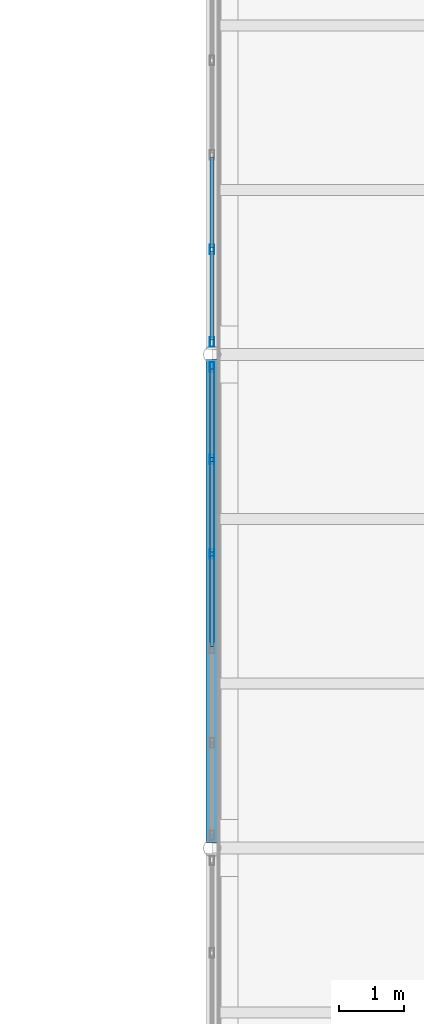
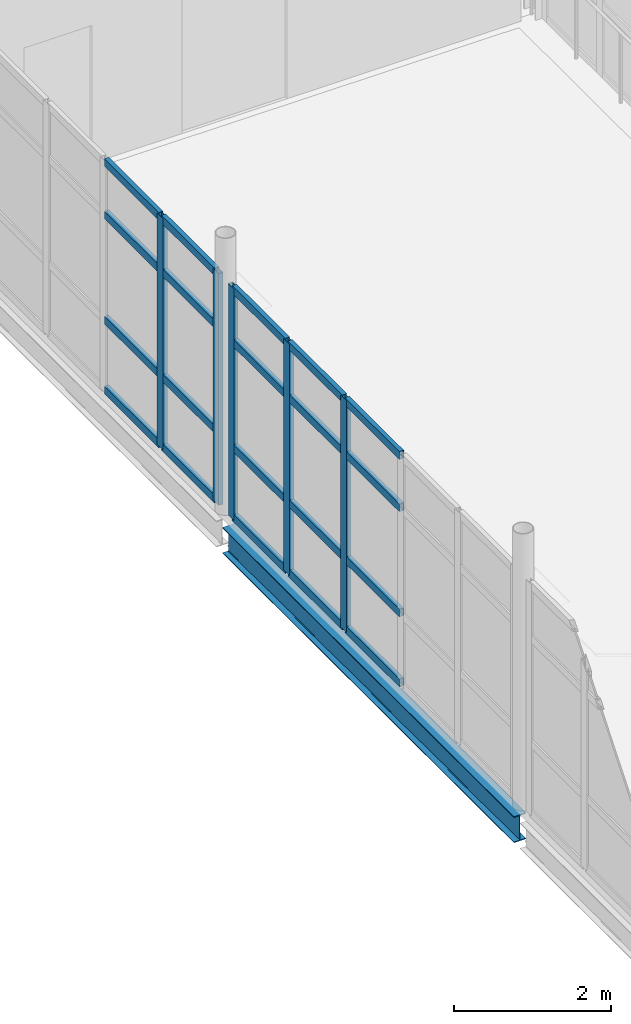
# One storey, part 72 of 174: 25 members, 1 beam, 2 elements without a shape of their own.
"""IFC4 building model written with IfcOpenShell, lengths in metres."""

import ifcopenshell
import ifcopenshell.guid

model = None  # the IFC model being written
_history = None  # IfcOwnerHistory: only IFC2X3 demands one
_inside = {}  # id of a spatial element -> (the spatial element, [elements in it])
_under = {}  # id of a project, library or spatial element -> (it, [spatial elements below it])
_declared = {}  # id of a project -> (the project, [libraries it declares])
_typed = {}  # id of a type object -> (the type object, [elements of that type])
_made_of = {}  # id of a material, layer set ... -> (it, [elements and type objects made of it])


def new_model(schema):
    """Start an empty IFC model of exactly this schema.

    Asked for "IFC4X3", IfcOpenShell would pick the latest addendum, in which some entities
    have other attributes; the version numbers below select the first issue.
    IFC2X3 requires an IfcOwnerHistory on every rooted entity: one is made here for all.
    """
    global model, _history
    if schema == "IFC4X3":
        model = ifcopenshell.file(schema_version=(4, 3, 0, 0))
    else:
        model = ifcopenshell.file(schema=schema)
    _inside.clear()
    _under.clear()
    _declared.clear()
    _typed.clear()
    _made_of.clear()
    _history = None
    if model.schema == "IFC2X3":
        org = make("IfcOrganization", Name="unknown")
        user = make(
            "IfcPersonAndOrganization",
            ThePerson=make("IfcPerson", FamilyName="unknown"),
            TheOrganization=org,
        )
        app = make(
            "IfcApplication",
            ApplicationDeveloper=org,
            Version="unknown",
            ApplicationFullName="unknown",
            ApplicationIdentifier="unknown",
        )
        _history = make(
            "IfcOwnerHistory",
            OwningUser=user,
            OwningApplication=app,
            ChangeAction="ADDED",
            CreationDate=0,
        )
    return model


def make(cls, **values):
    """One entity of the class cls with the attributes given. An attribute that is None is left unset."""
    return model.create_entity(
        cls, **{name: value for name, value in values.items() if value is not None}
    )


def rooted(cls, **values):
    """An entity with a GlobalId (a new one), such as an element, a storey or a relation."""
    return make(cls, GlobalId=ifcopenshell.guid.new(), OwnerHistory=_history, **values)


def si_unit(unit_type, name, prefix=None):
    """IfcSIUnit, for example si_unit("LENGTHUNIT", "METRE", prefix="MILLI")."""
    return make("IfcSIUnit", UnitType=unit_type, Prefix=prefix, Name=name)


def assignment(units):
    """IfcUnitAssignment: the units of a project."""
    return None if units is None else make("IfcUnitAssignment", Units=units)


def point(xyz):
    """IfcCartesianPoint."""
    return None if xyz is None else make("IfcCartesianPoint", Coordinates=xyz)


def direction(xyz):
    """IfcDirection."""
    return None if xyz is None else make("IfcDirection", DirectionRatios=xyz)


def frame(location, z_axis=None, x_axis=None):
    """IfcAxis2Placement3D, a coordinate frame: its origin and axes. An axis left out is left unset."""
    return make(
        "IfcAxis2Placement3D",
        Location=point(location),
        Axis=direction(z_axis),
        RefDirection=direction(x_axis),
    )


def frame_2d(location, x_axis=None):
    """IfcAxis2Placement2D, a coordinate frame in the plane: its origin and x axis."""
    return make(
        "IfcAxis2Placement2D", Location=point(location), RefDirection=direction(x_axis)
    )


def origin():
    """The frame at (0, 0, 0) with its axes left unset."""
    return frame((0.0, 0.0, 0.0))


def origin_2d():
    """The frame at (0, 0) in the plane with its x axis left unset."""
    return frame_2d((0.0, 0.0))


def place(relative_to, where):
    """IfcLocalPlacement: puts the frame where relative to a parent placement (None: the world)."""
    return make(
        "IfcLocalPlacement", PlacementRelTo=relative_to, RelativePlacement=where
    )


def context(
    kind, dimensions, precision=None, world=None, true_north=None, identifier=None
):
    """IfcGeometricRepresentationContext, for example the 3D "Model" context."""
    return make(
        "IfcGeometricRepresentationContext",
        ContextIdentifier=identifier,
        ContextType=kind,
        CoordinateSpaceDimension=dimensions,
        Precision=precision,
        WorldCoordinateSystem=world,
        TrueNorth=true_north,
    )


def subcontext(parent, identifier, kind, view, scale=None):
    """IfcGeometricRepresentationSubContext, for example "Body" below "Model"."""
    return make(
        "IfcGeometricRepresentationSubContext",
        ContextIdentifier=identifier,
        ContextType=kind,
        ParentContext=parent,
        TargetScale=scale,
        TargetView=view,
    )


def project(units=None, contexts=None):
    """IfcProject with its units and contexts."""
    return rooted(
        "IfcProject",
        Name="project",
        RepresentationContexts=contexts,
        UnitsInContext=assignment(units),
    )


def spatial(cls, under=None, at=None, **own):
    """A site, building, storey or space (cls), placed at a placement, below another one or the project."""
    s = rooted(cls, ObjectPlacement=at, **own)
    if under is not None:
        _under.setdefault(under.id(), (under, []))[1].append(s)
    return s


def profile(cls, at=None, kind="AREA", **sizes):
    """A parametric profile (cls). Its sizes go by their IFC names, for example OverallWidth=200.0."""
    return make(cls, ProfileType=kind, Position=at, **sizes)


def hollow_rectangle(**sizes):
    """IfcRectangleHollowProfileDef."""
    return profile("IfcRectangleHollowProfileDef", **sizes)


def i_section(**sizes):
    """IfcIShapeProfileDef."""
    return profile("IfcIShapeProfileDef", **sizes)


def extrude(swept, where, along, depth):
    """IfcExtrudedAreaSolid: the profile swept, set in the frame where, extruded along a direction by depth."""
    return make(
        "IfcExtrudedAreaSolid",
        SweptArea=swept,
        Position=where,
        ExtrudedDirection=direction(along),
        Depth=depth,
    )


def shape(context_of_items, identifier, shape_type, items):
    """IfcShapeRepresentation: the items that make up one representation, for example the "Body"."""
    return make(
        "IfcShapeRepresentation",
        ContextOfItems=context_of_items,
        RepresentationIdentifier=identifier,
        RepresentationType=shape_type,
        Items=items,
    )


def material(Name=None, Category=None):
    """IfcMaterial."""
    return make("IfcMaterial", Name=Name, Category=Category)


def material_profile(
    of_material, cross_section, Name=None, Category=None, Priority=None
):
    """IfcMaterialProfile: a cross section and its material."""
    return make(
        "IfcMaterialProfile",
        Name=Name,
        Material=of_material,
        Profile=cross_section,
        Priority=Priority,
        Category=Category,
    )


def profile_set(profiles, Name=None, composite=None):
    """IfcMaterialProfileSet."""
    return make(
        "IfcMaterialProfileSet",
        Name=Name,
        MaterialProfiles=profiles,
        CompositeProfile=composite,
    )


def made_of(thing, what):
    """Note that an element or type object is made of a material, layer set ...; save() writes the relation."""
    if what is not None:
        _made_of.setdefault(what.id(), (what, []))[1].append(thing)
    return thing


def type_object(cls, material=None, **own):
    """A type object (cls), such as IfcWallType, which elements share."""
    return made_of(rooted(cls, **own), material)


def element(
    cls,
    number,
    at=None,
    inside=None,
    cuts=None,
    type_object=None,
    material=None,
    context=None,
    identifier="Body",
    shape_type=None,
    held_by="IfcProductDefinitionShape",
    body=None,
    shapes=None,
    **own,
):
    """One element of the class cls, such as IfcWall. Its Tag is "e" and its number.

    at: its placement. inside: the storey or other place that contains it. cuts: it is an
    opening in that element (IfcRelVoidsElement). A single representation is given by context,
    identifier, shape_type and body (its items); several are given by shapes. held_by: the class
    of the entity that holds the representations. save() writes the other relations.
    """
    e = rooted(cls, Tag="e%d" % number, ObjectPlacement=at, **own)
    if body is not None:
        shapes = [shape(context, identifier, shape_type, body)]
    if shapes is not None:
        e.Representation = make(held_by, Representations=shapes)
    if inside is not None:
        _inside.setdefault(inside.id(), (inside, []))[1].append(e)
    if cuts is not None:
        rooted(
            "IfcRelVoidsElement", RelatingBuildingElement=cuts, RelatedOpeningElement=e
        )
    if type_object is not None:
        _typed.setdefault(type_object.id(), (type_object, []))[1].append(e)
    return made_of(e, material)


def aggregate(whole, parts):
    """IfcRelAggregates: a whole, such as a stair, and the parts it consists of."""
    return rooted("IfcRelAggregates", RelatingObject=whole, RelatedObjects=parts)


def save(model, path):
    """Write the relations noted so far, then the file.

    IfcRelAggregates (storeys below a building ...), IfcRelContainedInSpatialStructure (elements
    in a storey), IfcRelDefinesByType, IfcRelAssociatesMaterial and IfcRelDeclares: one each for
    every whole, place, type object, material and project.
    """
    for whole, parts in _under.values():
        aggregate(whole, parts)
    for where, things in _inside.values():
        rooted(
            "IfcRelContainedInSpatialStructure",
            RelatedElements=things,
            RelatingStructure=where,
        )
    for kind, things in _typed.values():
        rooted("IfcRelDefinesByType", RelatedObjects=things, RelatingType=kind)
    for what, things in _made_of.values():
        rooted("IfcRelAssociatesMaterial", RelatedObjects=things, RelatingMaterial=what)
    for by, libraries in _declared.values():
        rooted("IfcRelDeclares", RelatingContext=by, RelatedDefinitions=libraries)
    model.write(path)


model = new_model("IFC4")

# Units and contexts
model_context = context("Model", 3, precision=1e-05, world=origin(), true_north=direction((0.0, 1.0)))
body_context = subcontext(model_context, "Body", "Model", "MODEL_VIEW")
ifc_project = project(units=[si_unit("LENGTHUNIT", "METRE"), si_unit("AREAUNIT", "SQUARE_METRE"), si_unit("VOLUMEUNIT", "CUBIC_METRE"), si_unit("PLANEANGLEUNIT", "RADIAN"), si_unit("MASSUNIT", "GRAM", prefix="KILO")], contexts=[model_context])

# Site, building, storey
site_placement = place(None, origin())
site = spatial("IfcSite", under=ifc_project, at=site_placement, CompositionType="ELEMENT")
building_placement = place(site_placement, origin())
building = spatial("IfcBuilding", under=site, at=building_placement, Name="Caisbarro Railhouse Central Library", CompositionType="ELEMENT")
storey_placement = place(building_placement, frame((0.0, 0.0, 5.0400390625)))
storey = spatial("IfcBuildingStorey", under=building, at=storey_placement, Name="L01", CompositionType="ELEMENT", Elevation=5.0400390625)

# Beam
ifc_material_1 = material(Name="Steel ASTM A572 Grade 50", Category="steel")
ifc_material_profile_1 = material_profile(ifc_material_1, i_section(OverallWidth=0.177978515625, OverallDepth=0.406982421875, WebThickness=0.0078125, FlangeThickness=0.0126953125, FilletRadius=0.01611328125, at=origin_2d()), Name="W410X60.0")
ifc_profile_set_1 = profile_set([ifc_material_profile_1], Name="Steel ASTM A572 Grade 50")
beam_type = type_object("IfcBeamType", Name="BM-G10", PredefinedType="BEAM", material=ifc_profile_set_1)
beam_placement = place(storey_placement, frame((54.0, 68.47998046875, -0.403564453125), z_axis=(0.0, 1.0, 0.0), x_axis=(-1.0, 0.0, 0.0)))
element("IfcBeam", 1, at=beam_placement, inside=storey, type_object=beam_type, Name="G10 beam L01 #1249", PredefinedType="BEAM", context=body_context, shape_type="SweptSolid", body=[
    extrude(i_section(OverallWidth=0.177978515625, OverallDepth=0.406982421875, WebThickness=0.0078125, FlangeThickness=0.0126953125, FilletRadius=0.01611328125, at=origin_2d()), origin(), (0.0, 0.0, 1.0), 7.43994140625),
])

# Curtain wall, members
ifc_material_2 = material(Name="Anodised architectural aluminium", Category="aluminium")
curtain_wall_type = type_object("IfcCurtainWallType", Name="CW-CW03", PredefinedType="NOTDEFINED", material=ifc_material_2)
curtain_wall_1_placement = place(storey_placement, origin())
curtain_wall_1 = element("IfcCurtainWall", 2, at=curtain_wall_1_placement, inside=storey, type_object=curtain_wall_type, Name="CW03 curtain wall L01 #194", PredefinedType="NOTDEFINED")
ifc_material_profile_2 = material_profile(ifc_material_2, hollow_rectangle(XDim=0.06494140625, YDim=0.14990234375, WallThickness=0.00390625, at=origin_2d()), Name="ALU-MUL-65X150")
ifc_profile_set_2 = profile_set([ifc_material_profile_2], Name="Anodised architectural aluminium")
member_type_1 = type_object("IfcMemberType", Name="CWM-M02", PredefinedType="MULLION", material=ifc_profile_set_2)
member_1_placement = place(storey_placement, frame((54.0, 72.927978515625, 0.0), z_axis=(0.0, 0.0, 1.0), x_axis=(-1.0, 0.0, 0.0)))
member_1 = element("IfcMember", 3, at=member_1_placement, type_object=member_type_1, Name="CW03 mullion 4", PredefinedType="MULLION", context=body_context, shape_type="SweptSolid", body=[
    extrude(hollow_rectangle(XDim=0.06494140625, YDim=0.14990234375, WallThickness=0.00390625, at=origin_2d()), origin(), (0.0, 0.0, 1.0), 3.60986328125),
])
member_2_placement = place(storey_placement, frame((54.0, 74.384033203125, 0.0), z_axis=(0.0, 0.0, 1.0), x_axis=(-1.0, 0.0, 0.0)))
member_2 = element("IfcMember", 4, at=member_2_placement, type_object=member_type_1, Name="CW03 mullion 5", PredefinedType="MULLION", context=body_context, shape_type="SweptSolid", body=[
    extrude(hollow_rectangle(XDim=0.06494140625, YDim=0.14990234375, WallThickness=0.00390625, at=origin_2d()), origin(), (0.0, 0.0, 1.0), 3.60986328125),
])
member_3_placement = place(storey_placement, frame((54.0, 75.8076171875, 0.0), z_axis=(0.0, 0.0, 1.0), x_axis=(-1.0, 0.0, 0.0)))
member_3 = element("IfcMember", 5, at=member_3_placement, type_object=member_type_1, Name="CW03 mullion 6", PredefinedType="MULLION", context=body_context, shape_type="SweptSolid", body=[
    extrude(hollow_rectangle(XDim=0.06494140625, YDim=0.14990234375, WallThickness=0.00390625, at=origin_2d()), origin(), (0.0, 0.0, 1.0), 3.60986328125),
])

curtain_wall_2_placement = place(storey_placement, origin())
curtain_wall_2 = element("IfcCurtainWall", 6, at=curtain_wall_2_placement, inside=storey, type_object=curtain_wall_type, Name="CW03 curtain wall L01 #196", PredefinedType="NOTDEFINED")
member_4_placement = place(storey_placement, frame((54.0, 76.1923828125, 0.0), z_axis=(0.0, 0.0, 1.0), x_axis=(-1.0, 0.0, 0.0)))
member_4 = element("IfcMember", 7, at=member_4_placement, type_object=member_type_1, Name="CW03 mullion 1", PredefinedType="MULLION", context=body_context, shape_type="SweptSolid", body=[
    extrude(hollow_rectangle(XDim=0.06494140625, YDim=0.14990234375, WallThickness=0.00390625, at=origin_2d()), origin(), (0.0, 0.0, 1.0), 3.60986328125),
])
member_5_placement = place(storey_placement, frame((54.0, 77.615966796875, 0.0), z_axis=(0.0, 0.0, 1.0), x_axis=(-1.0, 0.0, 0.0)))
member_5 = element("IfcMember", 8, at=member_5_placement, type_object=member_type_1, Name="CW03 mullion 2", PredefinedType="MULLION", context=body_context, shape_type="SweptSolid", body=[
    extrude(hollow_rectangle(XDim=0.06494140625, YDim=0.14990234375, WallThickness=0.00390625, at=origin_2d()), origin(), (0.0, 0.0, 1.0), 3.60986328125),
])

# Member
ifc_material_profile_3 = material_profile(ifc_material_2, hollow_rectangle(XDim=0.06494140625, YDim=0.1201171875, WallThickness=0.00341796875, at=origin_2d()), Name="ALU-TRN-65X120")
ifc_profile_set_3 = profile_set([ifc_material_profile_3], Name="Anodised architectural aluminium")
member_type_2 = type_object("IfcMemberType", Name="CWT-T02", PredefinedType="USERDEFINED", material=ifc_profile_set_3)
member_6_placement = place(storey_placement, frame((54.0, 71.50439453125, 0.032470703125), z_axis=(0.0, 1.0, 0.0), x_axis=(-1.0, 0.0, 0.0)))
member_6 = element("IfcMember", 9, at=member_6_placement, type_object=member_type_2, Name="CW03 transom 3.1", ObjectType="TRANSOM", PredefinedType="USERDEFINED", context=body_context, shape_type="SweptSolid", body=[
    extrude(hollow_rectangle(XDim=0.06494140625, YDim=0.1201171875, WallThickness=0.00341796875, at=origin_2d()), origin(), (0.0, 0.0, 1.0), 1.39111328125),
])

member_7_placement = place(storey_placement, frame((54.0, 71.50439453125, 1.119873046875), z_axis=(0.0, 1.0, 0.0), x_axis=(-1.0, 0.0, 0.0)))
member_7 = element("IfcMember", 10, at=member_7_placement, type_object=member_type_2, Name="CW03 transom 3.2", ObjectType="TRANSOM", PredefinedType="USERDEFINED", context=body_context, shape_type="SweptSolid", body=[
    extrude(hollow_rectangle(XDim=0.06494140625, YDim=0.1201171875, WallThickness=0.00341796875, at=origin_2d()), origin(), (0.0, 0.0, 1.0), 1.39111328125),
])

member_8_placement = place(storey_placement, frame((54.0, 71.50439453125, 2.760009765625), z_axis=(0.0, 1.0, 0.0), x_axis=(-1.0, 0.0, 0.0)))
member_8 = element("IfcMember", 11, at=member_8_placement, type_object=member_type_2, Name="CW03 transom 3.3", ObjectType="TRANSOM", PredefinedType="USERDEFINED", context=body_context, shape_type="SweptSolid", body=[
    extrude(hollow_rectangle(XDim=0.06494140625, YDim=0.1201171875, WallThickness=0.00341796875, at=origin_2d()), origin(), (0.0, 0.0, 1.0), 1.39111328125),
])

member_9_placement = place(storey_placement, frame((54.0, 71.50439453125, 3.577392578125), z_axis=(0.0, 1.0, 0.0), x_axis=(-1.0, 0.0, 0.0)))
member_9 = element("IfcMember", 12, at=member_9_placement, type_object=member_type_2, Name="CW03 transom 3.4", ObjectType="TRANSOM", PredefinedType="USERDEFINED", context=body_context, shape_type="SweptSolid", body=[
    extrude(hollow_rectangle(XDim=0.06494140625, YDim=0.1201171875, WallThickness=0.00341796875, at=origin_2d()), origin(), (0.0, 0.0, 1.0), 1.39111328125),
])

member_10_placement = place(storey_placement, frame((54.0, 72.96044921875, 0.032470703125), z_axis=(0.0, 1.0, 0.0), x_axis=(-1.0, 0.0, 0.0)))
member_10 = element("IfcMember", 13, at=member_10_placement, type_object=member_type_2, Name="CW03 transom 4.1", ObjectType="TRANSOM", PredefinedType="USERDEFINED", context=body_context, shape_type="SweptSolid", body=[
    extrude(hollow_rectangle(XDim=0.06494140625, YDim=0.1201171875, WallThickness=0.00341796875, at=origin_2d()), origin(), (0.0, 0.0, 1.0), 1.39111328125),
])

member_11_placement = place(storey_placement, frame((54.0, 72.96044921875, 1.119873046875), z_axis=(0.0, 1.0, 0.0), x_axis=(-1.0, 0.0, 0.0)))
member_11 = element("IfcMember", 14, at=member_11_placement, type_object=member_type_2, Name="CW03 transom 4.2", ObjectType="TRANSOM", PredefinedType="USERDEFINED", context=body_context, shape_type="SweptSolid", body=[
    extrude(hollow_rectangle(XDim=0.06494140625, YDim=0.1201171875, WallThickness=0.00341796875, at=origin_2d()), origin(), (0.0, 0.0, 1.0), 1.39111328125),
])

member_12_placement = place(storey_placement, frame((54.0, 72.96044921875, 2.760009765625), z_axis=(0.0, 1.0, 0.0), x_axis=(-1.0, 0.0, 0.0)))
member_12 = element("IfcMember", 15, at=member_12_placement, type_object=member_type_2, Name="CW03 transom 4.3", ObjectType="TRANSOM", PredefinedType="USERDEFINED", context=body_context, shape_type="SweptSolid", body=[
    extrude(hollow_rectangle(XDim=0.06494140625, YDim=0.1201171875, WallThickness=0.00341796875, at=origin_2d()), origin(), (0.0, 0.0, 1.0), 1.39111328125),
])

member_13_placement = place(storey_placement, frame((54.0, 72.96044921875, 3.577392578125), z_axis=(0.0, 1.0, 0.0), x_axis=(-1.0, 0.0, 0.0)))
member_13 = element("IfcMember", 16, at=member_13_placement, type_object=member_type_2, Name="CW03 transom 4.4", ObjectType="TRANSOM", PredefinedType="USERDEFINED", context=body_context, shape_type="SweptSolid", body=[
    extrude(hollow_rectangle(XDim=0.06494140625, YDim=0.1201171875, WallThickness=0.00341796875, at=origin_2d()), origin(), (0.0, 0.0, 1.0), 1.39111328125),
])

member_14_placement = place(storey_placement, frame((54.0, 74.41650390625, 0.032470703125), z_axis=(0.0, 1.0, 0.0), x_axis=(-1.0, 0.0, 0.0)))
member_14 = element("IfcMember", 17, at=member_14_placement, type_object=member_type_2, Name="CW03 transom 5.1", ObjectType="TRANSOM", PredefinedType="USERDEFINED", context=body_context, shape_type="SweptSolid", body=[
    extrude(hollow_rectangle(XDim=0.06494140625, YDim=0.1201171875, WallThickness=0.00341796875, at=origin_2d()), origin(), (0.0, 0.0, 1.0), 1.3583984375),
])

member_15_placement = place(storey_placement, frame((54.0, 74.41650390625, 1.119873046875), z_axis=(0.0, 1.0, 0.0), x_axis=(-1.0, 0.0, 0.0)))
member_15 = element("IfcMember", 18, at=member_15_placement, type_object=member_type_2, Name="CW03 transom 5.2", ObjectType="TRANSOM", PredefinedType="USERDEFINED", context=body_context, shape_type="SweptSolid", body=[
    extrude(hollow_rectangle(XDim=0.06494140625, YDim=0.1201171875, WallThickness=0.00341796875, at=origin_2d()), origin(), (0.0, 0.0, 1.0), 1.3583984375),
])

member_16_placement = place(storey_placement, frame((54.0, 74.41650390625, 2.760009765625), z_axis=(0.0, 1.0, 0.0), x_axis=(-1.0, 0.0, 0.0)))
member_16 = element("IfcMember", 19, at=member_16_placement, type_object=member_type_2, Name="CW03 transom 5.3", ObjectType="TRANSOM", PredefinedType="USERDEFINED", context=body_context, shape_type="SweptSolid", body=[
    extrude(hollow_rectangle(XDim=0.06494140625, YDim=0.1201171875, WallThickness=0.00341796875, at=origin_2d()), origin(), (0.0, 0.0, 1.0), 1.3583984375),
])

member_17_placement = place(storey_placement, frame((54.0, 74.41650390625, 3.577392578125), z_axis=(0.0, 1.0, 0.0), x_axis=(-1.0, 0.0, 0.0)))
member_17 = element("IfcMember", 20, at=member_17_placement, type_object=member_type_2, Name="CW03 transom 5.4", ObjectType="TRANSOM", PredefinedType="USERDEFINED", context=body_context, shape_type="SweptSolid", body=[
    extrude(hollow_rectangle(XDim=0.06494140625, YDim=0.1201171875, WallThickness=0.00341796875, at=origin_2d()), origin(), (0.0, 0.0, 1.0), 1.3583984375),
])

aggregate(curtain_wall_1, [member_1, member_2, member_3, member_6, member_7, member_8, member_9, member_10, member_11, member_12, member_13, member_14, member_15, member_16, member_17])

member_18_placement = place(storey_placement, frame((54.0, 76.22509765625, 0.032470703125), z_axis=(0.0, 1.0, 0.0), x_axis=(-1.0, 0.0, 0.0)))
member_18 = element("IfcMember", 21, at=member_18_placement, type_object=member_type_2, Name="CW03 transom 1.1", ObjectType="TRANSOM", PredefinedType="USERDEFINED", context=body_context, shape_type="SweptSolid", body=[
    extrude(hollow_rectangle(XDim=0.06494140625, YDim=0.1201171875, WallThickness=0.00341796875, at=origin_2d()), origin(), (0.0, 0.0, 1.0), 1.3583984375),
])

member_19_placement = place(storey_placement, frame((54.0, 76.22509765625, 1.119873046875), z_axis=(0.0, 1.0, 0.0), x_axis=(-1.0, 0.0, 0.0)))
member_19 = element("IfcMember", 22, at=member_19_placement, type_object=member_type_2, Name="CW03 transom 1.2", ObjectType="TRANSOM", PredefinedType="USERDEFINED", context=body_context, shape_type="SweptSolid", body=[
    extrude(hollow_rectangle(XDim=0.06494140625, YDim=0.1201171875, WallThickness=0.00341796875, at=origin_2d()), origin(), (0.0, 0.0, 1.0), 1.3583984375),
])

member_20_placement = place(storey_placement, frame((54.0, 76.22509765625, 2.760009765625), z_axis=(0.0, 1.0, 0.0), x_axis=(-1.0, 0.0, 0.0)))
member_20 = element("IfcMember", 23, at=member_20_placement, type_object=member_type_2, Name="CW03 transom 1.3", ObjectType="TRANSOM", PredefinedType="USERDEFINED", context=body_context, shape_type="SweptSolid", body=[
    extrude(hollow_rectangle(XDim=0.06494140625, YDim=0.1201171875, WallThickness=0.00341796875, at=origin_2d()), origin(), (0.0, 0.0, 1.0), 1.3583984375),
])

member_21_placement = place(storey_placement, frame((54.0, 76.22509765625, 3.577392578125), z_axis=(0.0, 1.0, 0.0), x_axis=(-1.0, 0.0, 0.0)))
member_21 = element("IfcMember", 24, at=member_21_placement, type_object=member_type_2, Name="CW03 transom 1.4", ObjectType="TRANSOM", PredefinedType="USERDEFINED", context=body_context, shape_type="SweptSolid", body=[
    extrude(hollow_rectangle(XDim=0.06494140625, YDim=0.1201171875, WallThickness=0.00341796875, at=origin_2d()), origin(), (0.0, 0.0, 1.0), 1.3583984375),
])

member_22_placement = place(storey_placement, frame((54.0, 77.6484375, 0.032470703125), z_axis=(0.0, 1.0, 0.0), x_axis=(-1.0, 0.0, 0.0)))
member_22 = element("IfcMember", 25, at=member_22_placement, type_object=member_type_2, Name="CW03 transom 2.1", ObjectType="TRANSOM", PredefinedType="USERDEFINED", context=body_context, shape_type="SweptSolid", body=[
    extrude(hollow_rectangle(XDim=0.06494140625, YDim=0.1201171875, WallThickness=0.00341796875, at=origin_2d()), origin(), (0.0, 0.0, 1.0), 1.39111328125),
])

member_23_placement = place(storey_placement, frame((54.0, 77.6484375, 1.119873046875), z_axis=(0.0, 1.0, 0.0), x_axis=(-1.0, 0.0, 0.0)))
member_23 = element("IfcMember", 26, at=member_23_placement, type_object=member_type_2, Name="CW03 transom 2.2", ObjectType="TRANSOM", PredefinedType="USERDEFINED", context=body_context, shape_type="SweptSolid", body=[
    extrude(hollow_rectangle(XDim=0.06494140625, YDim=0.1201171875, WallThickness=0.00341796875, at=origin_2d()), origin(), (0.0, 0.0, 1.0), 1.39111328125),
])

member_24_placement = place(storey_placement, frame((54.0, 77.6484375, 2.760009765625), z_axis=(0.0, 1.0, 0.0), x_axis=(-1.0, 0.0, 0.0)))
member_24 = element("IfcMember", 27, at=member_24_placement, type_object=member_type_2, Name="CW03 transom 2.3", ObjectType="TRANSOM", PredefinedType="USERDEFINED", context=body_context, shape_type="SweptSolid", body=[
    extrude(hollow_rectangle(XDim=0.06494140625, YDim=0.1201171875, WallThickness=0.00341796875, at=origin_2d()), origin(), (0.0, 0.0, 1.0), 1.39111328125),
])

member_25_placement = place(storey_placement, frame((54.0, 77.6484375, 3.577392578125), z_axis=(0.0, 1.0, 0.0), x_axis=(-1.0, 0.0, 0.0)))
member_25 = element("IfcMember", 28, at=member_25_placement, type_object=member_type_2, Name="CW03 transom 2.4", ObjectType="TRANSOM", PredefinedType="USERDEFINED", context=body_context, shape_type="SweptSolid", body=[
    extrude(hollow_rectangle(XDim=0.06494140625, YDim=0.1201171875, WallThickness=0.00341796875, at=origin_2d()), origin(), (0.0, 0.0, 1.0), 1.39111328125),
])

aggregate(curtain_wall_2, [member_4, member_5, member_18, member_19, member_20, member_21, member_22, member_23, member_24, member_25])

save(model, "model.ifc")
